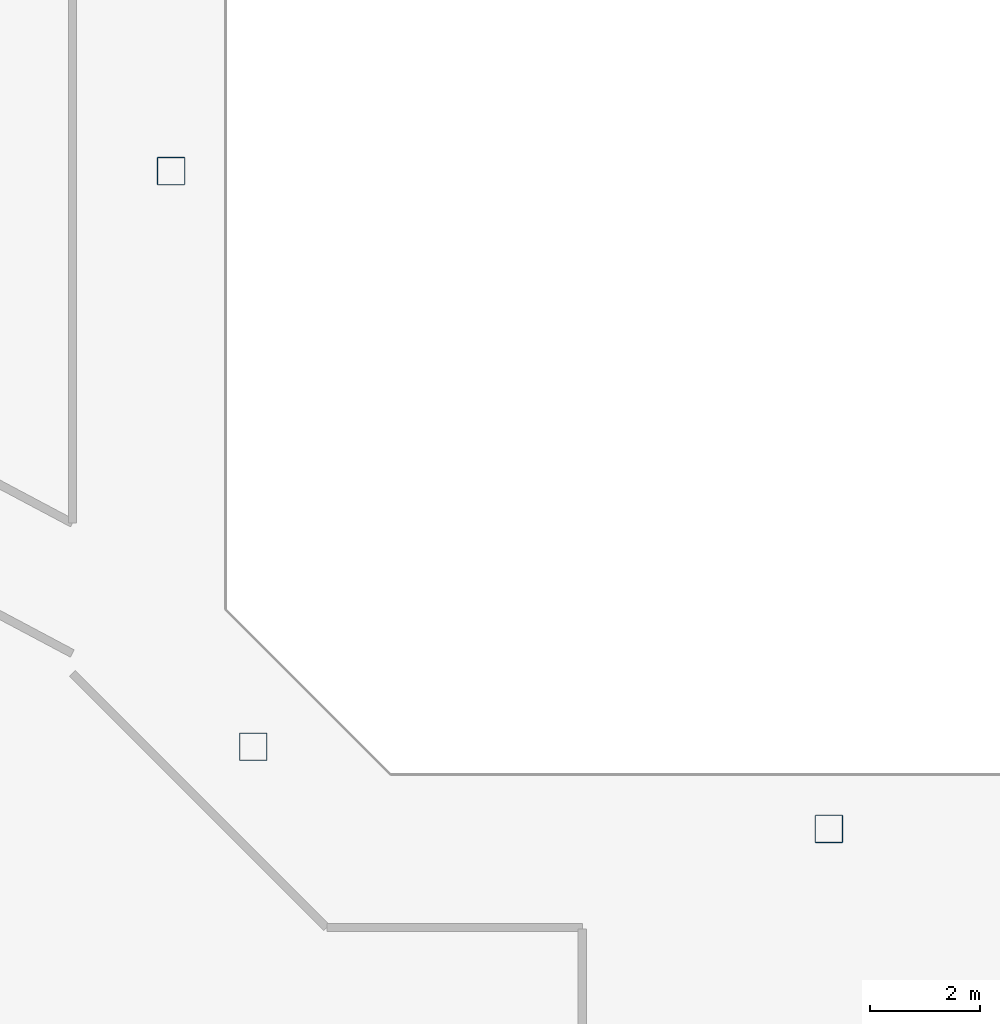
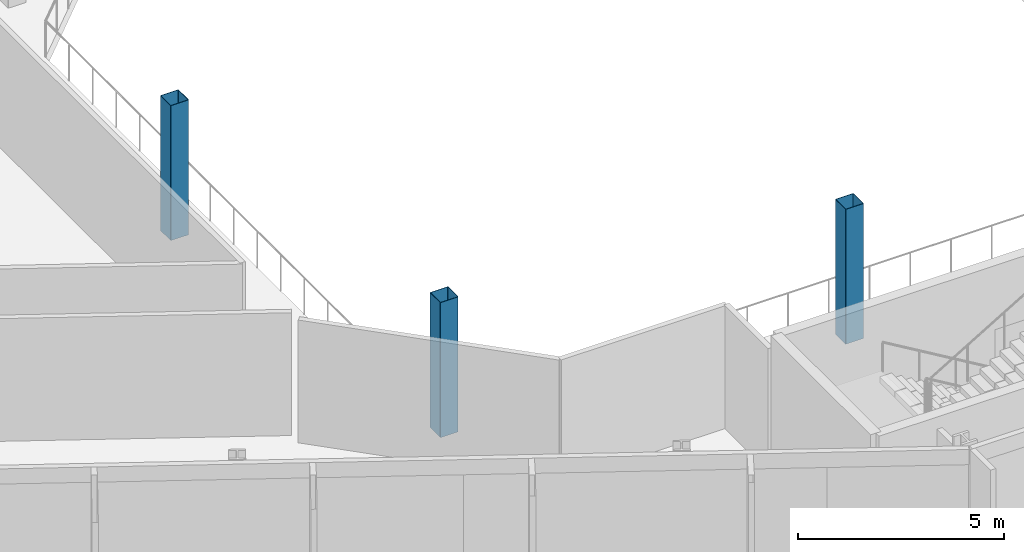
# One storey, part 2 of 28: 3 columns.
"""IFC4 building model written with IfcOpenShell, lengths in metres."""

from ifc_helpers import new_model, si_unit, direction, frame, origin, origin_2d, place, context, subcontext, project, spatial, hollow_rectangle, extrude, material, material_profile, profile_set, type_object, element, save


model = new_model("IFC4")

# Units and contexts
model_context = context("Model", 3, precision=1e-05, world=origin(), true_north=direction((0.0, 1.0)))
body_context = subcontext(model_context, "Body", "Model", "MODEL_VIEW")
ifc_project = project(units=[si_unit("LENGTHUNIT", "METRE"), si_unit("AREAUNIT", "SQUARE_METRE"), si_unit("VOLUMEUNIT", "CUBIC_METRE"), si_unit("PLANEANGLEUNIT", "RADIAN"), si_unit("MASSUNIT", "GRAM", prefix="KILO")], contexts=[model_context])

# Site, building, storey
site_placement = place(None, origin())
site = spatial("IfcSite", under=ifc_project, at=site_placement, CompositionType="ELEMENT")
building_placement = place(site_placement, origin())
building = spatial("IfcBuilding", under=site, at=building_placement, Name="Cormorant Relay Tower", CompositionType="ELEMENT")
storey_placement = place(building_placement, frame((0.0, 0.0, 130.199951171875)))
storey = spatial("IfcBuildingStorey", under=building, at=storey_placement, Name="L26", CompositionType="ELEMENT", Elevation=130.199951171875)

# Columns
ifc_material = material(Name="Steel ASTM A500 Grade C (Fy 345 MPa)", Category="steel")
ifc_material_profile = material_profile(ifc_material, hollow_rectangle(XDim=0.508056640625, YDim=0.508056640625, WallThickness=0.01171875, InnerFilletRadius=0.005859375, OuterFilletRadius=0.017822265625, at=origin_2d()), Name="HSS508x508x12")
ifc_profile_set = profile_set([ifc_material_profile], Name="Steel ASTM A500 Grade C (Fy 345 MPa)")
column_type = type_object("IfcColumnType", Name="Column HSS508x508x12", PredefinedType="COLUMN", material=ifc_profile_set)
for number, where, z_axis, x_axis, name in (
    (1, (0.0, -12.0, 0.0), (0.0, 0.0, 1.0), (1.0, 0.0, 0.0), "Column L26-007"),
    (2, (-10.5, -10.5, 0.0), (0.0, 0.0, 1.0), (1.0, 0.0, 0.0), "Column L26-009"),
    (3, (-12.0, 0.0, 0.0), (0.0, 0.0, 1.0), (1.0, 0.0, 0.0), "Column L26-015"),
):
    element("IfcColumn", number, at=place(storey_placement, frame(where, z_axis=z_axis, x_axis=x_axis)), inside=storey, type_object=column_type, Name=name, PredefinedType="COLUMN", context=body_context, shape_type="SweptSolid", body=[
        extrude(hollow_rectangle(XDim=0.508056640625, YDim=0.508056640625, WallThickness=0.01171875, InnerFilletRadius=0.005859375, OuterFilletRadius=0.017822265625, at=origin_2d()), origin(), (0.0, 0.0, 1.0), 4.0),
    ])

save(model, "model.ifc")
